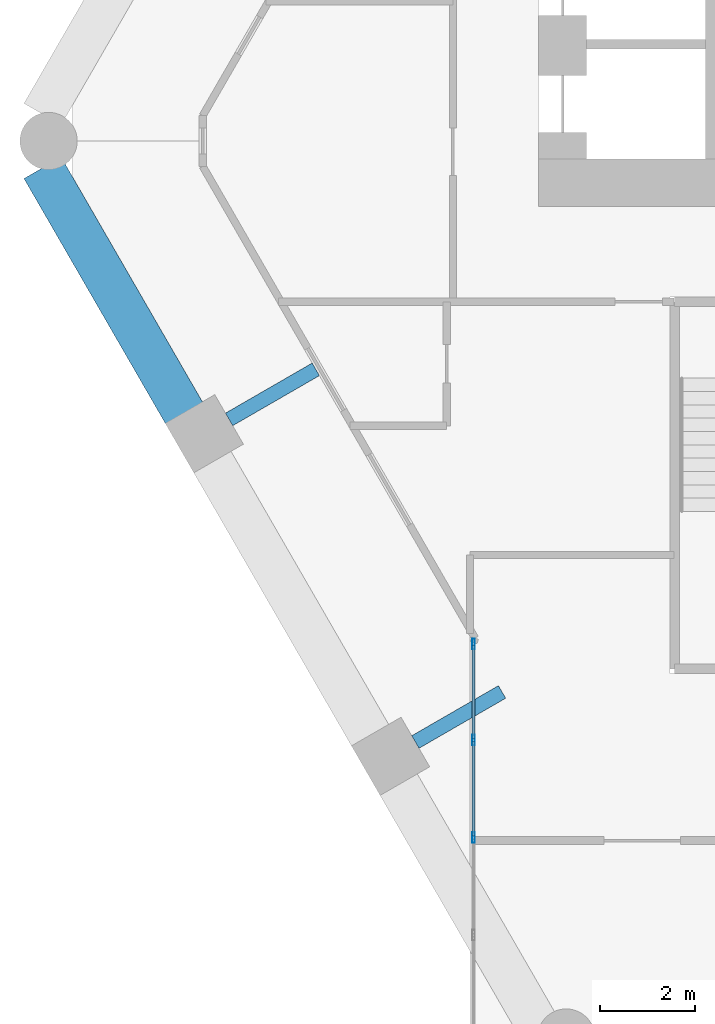
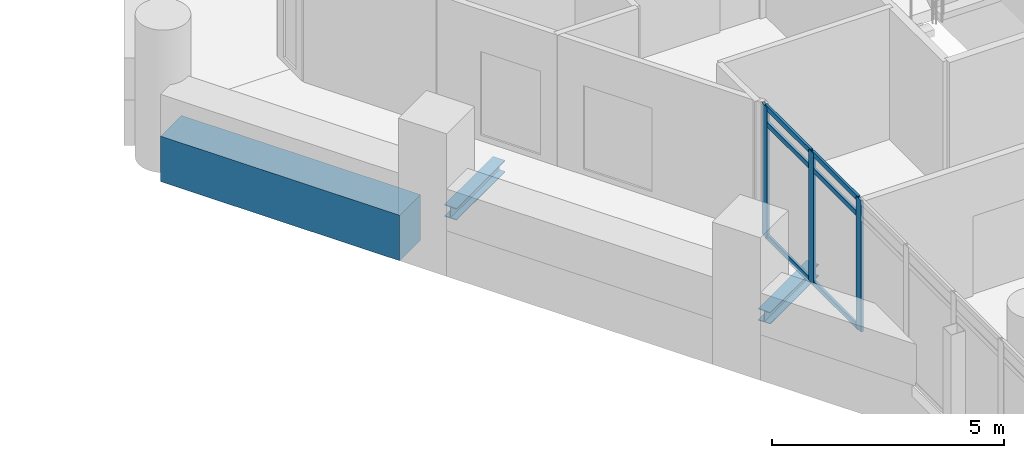
# One storey, part 9 of 28: 9 members, 3 beams, 1 element without a shape of its own.
"""IFC4 building model written with IfcOpenShell, lengths in metres."""

import ifcopenshell
import ifcopenshell.guid

model = None  # the IFC model being written
_history = None  # IfcOwnerHistory: only IFC2X3 demands one
_inside = {}  # id of a spatial element -> (the spatial element, [elements in it])
_under = {}  # id of a project, library or spatial element -> (it, [spatial elements below it])
_declared = {}  # id of a project -> (the project, [libraries it declares])
_typed = {}  # id of a type object -> (the type object, [elements of that type])
_made_of = {}  # id of a material, layer set ... -> (it, [elements and type objects made of it])


def new_model(schema):
    """Start an empty IFC model of exactly this schema.

    Asked for "IFC4X3", IfcOpenShell would pick the latest addendum, in which some entities
    have other attributes; the version numbers below select the first issue.
    IFC2X3 requires an IfcOwnerHistory on every rooted entity: one is made here for all.
    """
    global model, _history
    if schema == "IFC4X3":
        model = ifcopenshell.file(schema_version=(4, 3, 0, 0))
    else:
        model = ifcopenshell.file(schema=schema)
    _inside.clear()
    _under.clear()
    _declared.clear()
    _typed.clear()
    _made_of.clear()
    _history = None
    if model.schema == "IFC2X3":
        org = make("IfcOrganization", Name="unknown")
        user = make(
            "IfcPersonAndOrganization",
            ThePerson=make("IfcPerson", FamilyName="unknown"),
            TheOrganization=org,
        )
        app = make(
            "IfcApplication",
            ApplicationDeveloper=org,
            Version="unknown",
            ApplicationFullName="unknown",
            ApplicationIdentifier="unknown",
        )
        _history = make(
            "IfcOwnerHistory",
            OwningUser=user,
            OwningApplication=app,
            ChangeAction="ADDED",
            CreationDate=0,
        )
    return model


def make(cls, **values):
    """One entity of the class cls with the attributes given. An attribute that is None is left unset."""
    return model.create_entity(
        cls, **{name: value for name, value in values.items() if value is not None}
    )


def rooted(cls, **values):
    """An entity with a GlobalId (a new one), such as an element, a storey or a relation."""
    return make(cls, GlobalId=ifcopenshell.guid.new(), OwnerHistory=_history, **values)


def si_unit(unit_type, name, prefix=None):
    """IfcSIUnit, for example si_unit("LENGTHUNIT", "METRE", prefix="MILLI")."""
    return make("IfcSIUnit", UnitType=unit_type, Prefix=prefix, Name=name)


def assignment(units):
    """IfcUnitAssignment: the units of a project."""
    return None if units is None else make("IfcUnitAssignment", Units=units)


def point(xyz):
    """IfcCartesianPoint."""
    return None if xyz is None else make("IfcCartesianPoint", Coordinates=xyz)


def direction(xyz):
    """IfcDirection."""
    return None if xyz is None else make("IfcDirection", DirectionRatios=xyz)


def frame(location, z_axis=None, x_axis=None):
    """IfcAxis2Placement3D, a coordinate frame: its origin and axes. An axis left out is left unset."""
    return make(
        "IfcAxis2Placement3D",
        Location=point(location),
        Axis=direction(z_axis),
        RefDirection=direction(x_axis),
    )


def frame_2d(location, x_axis=None):
    """IfcAxis2Placement2D, a coordinate frame in the plane: its origin and x axis."""
    return make(
        "IfcAxis2Placement2D", Location=point(location), RefDirection=direction(x_axis)
    )


def origin():
    """The frame at (0, 0, 0) with its axes left unset."""
    return frame((0.0, 0.0, 0.0))


def origin_2d():
    """The frame at (0, 0) in the plane with its x axis left unset."""
    return frame_2d((0.0, 0.0))


def place(relative_to, where):
    """IfcLocalPlacement: puts the frame where relative to a parent placement (None: the world)."""
    return make(
        "IfcLocalPlacement", PlacementRelTo=relative_to, RelativePlacement=where
    )


def context(
    kind, dimensions, precision=None, world=None, true_north=None, identifier=None
):
    """IfcGeometricRepresentationContext, for example the 3D "Model" context."""
    return make(
        "IfcGeometricRepresentationContext",
        ContextIdentifier=identifier,
        ContextType=kind,
        CoordinateSpaceDimension=dimensions,
        Precision=precision,
        WorldCoordinateSystem=world,
        TrueNorth=true_north,
    )


def subcontext(parent, identifier, kind, view, scale=None):
    """IfcGeometricRepresentationSubContext, for example "Body" below "Model"."""
    return make(
        "IfcGeometricRepresentationSubContext",
        ContextIdentifier=identifier,
        ContextType=kind,
        ParentContext=parent,
        TargetScale=scale,
        TargetView=view,
    )


def project(units=None, contexts=None):
    """IfcProject with its units and contexts."""
    return rooted(
        "IfcProject",
        Name="project",
        RepresentationContexts=contexts,
        UnitsInContext=assignment(units),
    )


def spatial(cls, under=None, at=None, **own):
    """A site, building, storey or space (cls), placed at a placement, below another one or the project."""
    s = rooted(cls, ObjectPlacement=at, **own)
    if under is not None:
        _under.setdefault(under.id(), (under, []))[1].append(s)
    return s


def profile(cls, at=None, kind="AREA", **sizes):
    """A parametric profile (cls). Its sizes go by their IFC names, for example OverallWidth=200.0."""
    return make(cls, ProfileType=kind, Position=at, **sizes)


def rectangle(**sizes):
    """IfcRectangleProfileDef."""
    return profile("IfcRectangleProfileDef", **sizes)


def hollow_rectangle(**sizes):
    """IfcRectangleHollowProfileDef."""
    return profile("IfcRectangleHollowProfileDef", **sizes)


def i_section(**sizes):
    """IfcIShapeProfileDef."""
    return profile("IfcIShapeProfileDef", **sizes)


def extrude(swept, where, along, depth):
    """IfcExtrudedAreaSolid: the profile swept, set in the frame where, extruded along a direction by depth."""
    return make(
        "IfcExtrudedAreaSolid",
        SweptArea=swept,
        Position=where,
        ExtrudedDirection=direction(along),
        Depth=depth,
    )


def shape(context_of_items, identifier, shape_type, items):
    """IfcShapeRepresentation: the items that make up one representation, for example the "Body"."""
    return make(
        "IfcShapeRepresentation",
        ContextOfItems=context_of_items,
        RepresentationIdentifier=identifier,
        RepresentationType=shape_type,
        Items=items,
    )


def material(Name=None, Category=None):
    """IfcMaterial."""
    return make("IfcMaterial", Name=Name, Category=Category)


def material_profile(
    of_material, cross_section, Name=None, Category=None, Priority=None
):
    """IfcMaterialProfile: a cross section and its material."""
    return make(
        "IfcMaterialProfile",
        Name=Name,
        Material=of_material,
        Profile=cross_section,
        Priority=Priority,
        Category=Category,
    )


def profile_set(profiles, Name=None, composite=None):
    """IfcMaterialProfileSet."""
    return make(
        "IfcMaterialProfileSet",
        Name=Name,
        MaterialProfiles=profiles,
        CompositeProfile=composite,
    )


def made_of(thing, what):
    """Note that an element or type object is made of a material, layer set ...; save() writes the relation."""
    if what is not None:
        _made_of.setdefault(what.id(), (what, []))[1].append(thing)
    return thing


def type_object(cls, material=None, **own):
    """A type object (cls), such as IfcWallType, which elements share."""
    return made_of(rooted(cls, **own), material)


def element(
    cls,
    number,
    at=None,
    inside=None,
    cuts=None,
    type_object=None,
    material=None,
    context=None,
    identifier="Body",
    shape_type=None,
    held_by="IfcProductDefinitionShape",
    body=None,
    shapes=None,
    **own,
):
    """One element of the class cls, such as IfcWall. Its Tag is "e" and its number.

    at: its placement. inside: the storey or other place that contains it. cuts: it is an
    opening in that element (IfcRelVoidsElement). A single representation is given by context,
    identifier, shape_type and body (its items); several are given by shapes. held_by: the class
    of the entity that holds the representations. save() writes the other relations.
    """
    e = rooted(cls, Tag="e%d" % number, ObjectPlacement=at, **own)
    if body is not None:
        shapes = [shape(context, identifier, shape_type, body)]
    if shapes is not None:
        e.Representation = make(held_by, Representations=shapes)
    if inside is not None:
        _inside.setdefault(inside.id(), (inside, []))[1].append(e)
    if cuts is not None:
        rooted(
            "IfcRelVoidsElement", RelatingBuildingElement=cuts, RelatedOpeningElement=e
        )
    if type_object is not None:
        _typed.setdefault(type_object.id(), (type_object, []))[1].append(e)
    return made_of(e, material)


def aggregate(whole, parts):
    """IfcRelAggregates: a whole, such as a stair, and the parts it consists of."""
    return rooted("IfcRelAggregates", RelatingObject=whole, RelatedObjects=parts)


def save(model, path):
    """Write the relations noted so far, then the file.

    IfcRelAggregates (storeys below a building ...), IfcRelContainedInSpatialStructure (elements
    in a storey), IfcRelDefinesByType, IfcRelAssociatesMaterial and IfcRelDeclares: one each for
    every whole, place, type object, material and project.
    """
    for whole, parts in _under.values():
        aggregate(whole, parts)
    for where, things in _inside.values():
        rooted(
            "IfcRelContainedInSpatialStructure",
            RelatedElements=things,
            RelatingStructure=where,
        )
    for kind, things in _typed.values():
        rooted("IfcRelDefinesByType", RelatedObjects=things, RelatingType=kind)
    for what, things in _made_of.values():
        rooted("IfcRelAssociatesMaterial", RelatedObjects=things, RelatingMaterial=what)
    for by, libraries in _declared.values():
        rooted("IfcRelDeclares", RelatingContext=by, RelatedDefinitions=libraries)
    model.write(path)


model = new_model("IFC4")

# Units and contexts
model_context = context("Model", 3, precision=1e-05, world=origin(), true_north=direction((0.0, 1.0)))
body_context = subcontext(model_context, "Body", "Model", "MODEL_VIEW")
ifc_project = project(units=[si_unit("LENGTHUNIT", "METRE"), si_unit("AREAUNIT", "SQUARE_METRE"), si_unit("VOLUMEUNIT", "CUBIC_METRE"), si_unit("PLANEANGLEUNIT", "RADIAN"), si_unit("MASSUNIT", "GRAM", prefix="KILO")], contexts=[model_context])

# Site, building, storey
site_placement = place(None, origin())
site = spatial("IfcSite", under=ifc_project, at=site_placement, CompositionType="ELEMENT")
building_placement = place(site_placement, origin())
building = spatial("IfcBuilding", under=site, at=building_placement, Name="Ostrander Bayou Hotel Tower", CompositionType="ELEMENT")
storey_placement = place(building_placement, frame((0.0, 0.0, 100.5)))
storey = spatial("IfcBuildingStorey", under=building, at=storey_placement, Name="L25", CompositionType="ELEMENT", Elevation=100.5)

# Curtain wall, members
ifc_material_1 = material(Name="Aluminium and clear glass", Category="aluminium")
curtain_wall_type = type_object("IfcCurtainWallType", Name="CW-BAR glazed wall", PredefinedType="NOTDEFINED", material=ifc_material_1)
curtain_wall_placement = place(storey_placement, origin())
curtain_wall = element("IfcCurtainWall", 1, at=curtain_wall_placement, inside=storey, type_object=curtain_wall_type, Name="CW-BAR L25:SB2S:E", PredefinedType="NOTDEFINED")
ifc_material_2 = material(Name="Aluminium", Category="aluminium")
ifc_material_profile_1 = material_profile(ifc_material_2, hollow_rectangle(XDim=0.06005859375, YDim=0.219970703125, WallThickness=0.00390625, at=origin_2d()))
ifc_profile_set_1 = profile_set([ifc_material_profile_1], Name="Aluminium")
member_type_1 = type_object("IfcMemberType", Name="CW-BR mullion 60 x 220 mm", PredefinedType="MULLION", material=ifc_profile_set_1)
member_1_placement = place(storey_placement, frame((-13.3671875, -10.877197265625, 0.0), z_axis=(0.0, 0.0, 1.0), x_axis=(1.0, 0.0, 0.0)))
member_1 = element("IfcMember", 2, at=member_1_placement, type_object=member_type_1, Name="CW-BAR mullion 1", PredefinedType="MULLION", context=body_context, shape_type="SweptSolid", body=[
    extrude(hollow_rectangle(XDim=0.06005859375, YDim=0.219970703125, WallThickness=0.00390625, at=origin_2d()), origin(), (0.0, 0.0, 1.0), 3.449951171875),
])
member_2_placement = place(storey_placement, frame((-13.3671875, -12.892822265625, 0.0), z_axis=(0.0, 0.0, 1.0), x_axis=(1.0, 0.0, 0.0)))
member_2 = element("IfcMember", 3, at=member_2_placement, type_object=member_type_1, Name="CW-BAR mullion 2", PredefinedType="MULLION", context=body_context, shape_type="SweptSolid", body=[
    extrude(hollow_rectangle(XDim=0.06005859375, YDim=0.219970703125, WallThickness=0.00390625, at=origin_2d()), origin(), (0.0, 0.0, 1.0), 3.449951171875),
])
member_3_placement = place(storey_placement, frame((-13.3671875, -14.938232421875, 0.0), z_axis=(0.0, 0.0, 1.0), x_axis=(1.0, 0.0, 0.0)))
member_3 = element("IfcMember", 4, at=member_3_placement, type_object=member_type_1, Name="CW-BAR mullion 3", PredefinedType="MULLION", context=body_context, shape_type="SweptSolid", body=[
    extrude(hollow_rectangle(XDim=0.06005859375, YDim=0.219970703125, WallThickness=0.00390625, at=origin_2d()), origin(), (0.0, 0.0, 1.0), 3.449951171875),
])
ifc_material_3 = material(Name="Aluminium", Category="aluminium")
ifc_material_profile_2 = material_profile(ifc_material_3, hollow_rectangle(XDim=0.06005859375, YDim=0.1298828125, WallThickness=0.00390625, at=origin_2d()))
ifc_profile_set_2 = profile_set([ifc_material_profile_2], Name="Aluminium")
member_type_2 = type_object("IfcMemberType", Name="CW-BR transom 60 x 130 mm", PredefinedType="USERDEFINED", material=ifc_profile_set_2)
member_4_placement = place(storey_placement, frame((-13.3671875, -10.9072265625, 0.030029296875), z_axis=(0.0, -1.0, 0.0), x_axis=(1.0, 0.0, 0.0)))
member_4 = element("IfcMember", 5, at=member_4_placement, type_object=member_type_2, Name="CW-BAR transom 1.1", ObjectType="TRANSOM", PredefinedType="USERDEFINED", context=body_context, shape_type="SweptSolid", body=[
    extrude(hollow_rectangle(XDim=0.06005859375, YDim=0.1298828125, WallThickness=0.00390625, at=origin_2d()), origin(), (0.0, 0.0, 1.0), 1.95556640625),
])
member_5_placement = place(storey_placement, frame((-13.3671875, -10.9072265625, 3.0), z_axis=(0.0, -1.0, 0.0), x_axis=(1.0, 0.0, 0.0)))
member_5 = element("IfcMember", 6, at=member_5_placement, type_object=member_type_2, Name="CW-BAR transom 1.2", ObjectType="TRANSOM", PredefinedType="USERDEFINED", context=body_context, shape_type="SweptSolid", body=[
    extrude(hollow_rectangle(XDim=0.06005859375, YDim=0.1298828125, WallThickness=0.00390625, at=origin_2d()), origin(), (0.0, 0.0, 1.0), 1.95556640625),
])
member_6_placement = place(storey_placement, frame((-13.3671875, -10.9072265625, 3.419921875), z_axis=(0.0, -1.0, 0.0), x_axis=(1.0, 0.0, 0.0)))
member_6 = element("IfcMember", 7, at=member_6_placement, type_object=member_type_2, Name="CW-BAR transom 1.3", ObjectType="TRANSOM", PredefinedType="USERDEFINED", context=body_context, shape_type="SweptSolid", body=[
    extrude(hollow_rectangle(XDim=0.06005859375, YDim=0.1298828125, WallThickness=0.00390625, at=origin_2d()), origin(), (0.0, 0.0, 1.0), 1.95556640625),
])
member_7_placement = place(storey_placement, frame((-13.3671875, -12.9228515625, 0.030029296875), z_axis=(0.0, -1.0, 0.0), x_axis=(1.0, 0.0, 0.0)))
member_7 = element("IfcMember", 8, at=member_7_placement, type_object=member_type_2, Name="CW-BAR transom 2.1", ObjectType="TRANSOM", PredefinedType="USERDEFINED", context=body_context, shape_type="SweptSolid", body=[
    extrude(hollow_rectangle(XDim=0.06005859375, YDim=0.1298828125, WallThickness=0.00390625, at=origin_2d()), origin(), (0.0, 0.0, 1.0), 1.9853515625),
])
member_8_placement = place(storey_placement, frame((-13.3671875, -12.9228515625, 3.0), z_axis=(0.0, -1.0, 0.0), x_axis=(1.0, 0.0, 0.0)))
member_8 = element("IfcMember", 9, at=member_8_placement, type_object=member_type_2, Name="CW-BAR transom 2.2", ObjectType="TRANSOM", PredefinedType="USERDEFINED", context=body_context, shape_type="SweptSolid", body=[
    extrude(hollow_rectangle(XDim=0.06005859375, YDim=0.1298828125, WallThickness=0.00390625, at=origin_2d()), origin(), (0.0, 0.0, 1.0), 1.9853515625),
])
member_9_placement = place(storey_placement, frame((-13.3671875, -12.9228515625, 3.419921875), z_axis=(0.0, -1.0, 0.0), x_axis=(1.0, 0.0, 0.0)))
member_9 = element("IfcMember", 10, at=member_9_placement, type_object=member_type_2, Name="CW-BAR transom 2.3", ObjectType="TRANSOM", PredefinedType="USERDEFINED", context=body_context, shape_type="SweptSolid", body=[
    extrude(hollow_rectangle(XDim=0.06005859375, YDim=0.1298828125, WallThickness=0.00390625, at=origin_2d()), origin(), (0.0, 0.0, 1.0), 1.9853515625),
])
aggregate(curtain_wall, [member_1, member_2, member_3, member_4, member_5, member_6, member_7, member_8, member_9])

# Beams
ifc_material_4 = material(Name="Steel ASTM A992", Category="steel")
ifc_material_profile_3 = material_profile(ifc_material_4, i_section(OverallWidth=0.3046875, OverallDepth=0.307861328125, WebThickness=0.010009765625, FlangeThickness=0.015380859375, at=origin_2d()))
ifc_profile_set_3 = profile_set([ifc_material_profile_3], Name="Steel ASTM A992")
beam_type_1 = type_object("IfcBeamType", Name="LB1 loggia bracket W12x65", PredefinedType="BEAM", material=ifc_profile_set_3)
for number, where, z_axis, x_axis, name in (
    (11, (-18.494384765625, -6.166748046875, -0.453857421875), (0.866009402589, 0.500027713859, 0.0), (-0.500027713859, 0.866009402589, 0.0), "LB1 L25 SW1"),
    (12, (-14.587646484375, -12.933349609375, -0.453857421875), (0.866009402589, 0.500027713859, 0.0), (-0.500027713859, 0.866009402589, 0.0), "LB1 L25 SW2"),
):
    element("IfcBeam", number, at=place(storey_placement, frame(where, z_axis=z_axis, x_axis=x_axis)), inside=storey, type_object=beam_type_1, Name=name, PredefinedType="BEAM", context=body_context, shape_type="SweptSolid", body=[
        extrude(i_section(OverallWidth=0.3046875, OverallDepth=0.307861328125, WebThickness=0.010009765625, FlangeThickness=0.015380859375, at=origin_2d()), origin(), (0.0, 0.0, 1.0), 2.10009765625),
    ])
ifc_material_5 = material(Name="Concrete f'c 70 MPa", Category="concrete")
ifc_material_profile_4 = material_profile(ifc_material_5, rectangle(XDim=0.89990234375, YDim=1.199951171875, at=origin_2d()))
ifc_profile_set_4 = profile_set([ifc_material_profile_4], Name="Concrete f'c 70 MPa")
beam_type_2 = type_object("IfcBeamType", Name="SP2 spandrel beam 900 x 1200 mm f'c 70 MPa", PredefinedType="SPANDREL", material=ifc_profile_set_4)
beam_placement = place(storey_placement, frame((-22.406494140625, -0.890869140625, -0.60009765625), z_axis=(0.500001626982, -0.866024464444, 0.0), x_axis=(0.866024464444, 0.500001626982, 0.0)))
element("IfcBeam", 13, at=beam_placement, inside=storey, type_object=beam_type_2, Name="SP2 L25 SW-1", PredefinedType="SPANDREL", context=body_context, shape_type="SweptSolid", body=[
    extrude(rectangle(XDim=0.89990234375, YDim=1.199951171875, at=origin_2d()), origin(), (0.0, 0.0, 1.0), 5.955078125),
])

save(model, "model.ifc")
